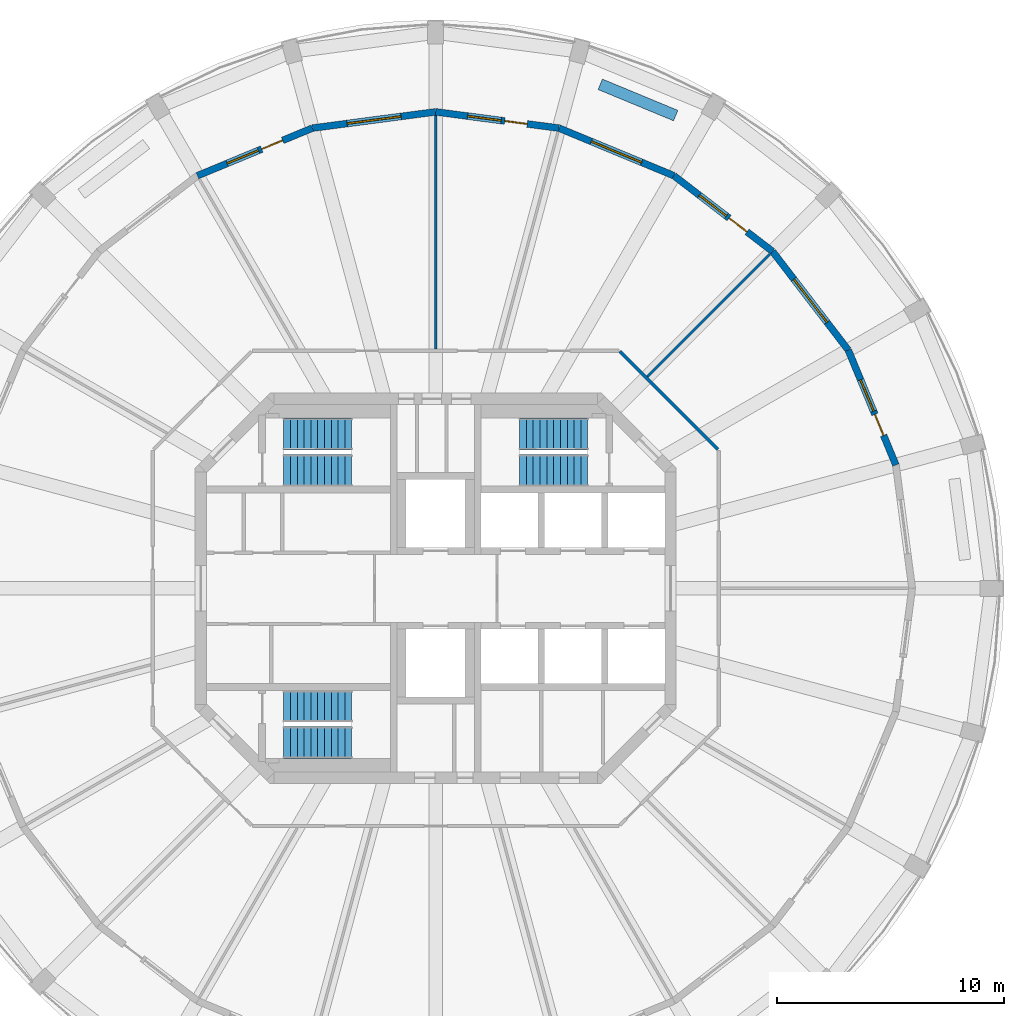
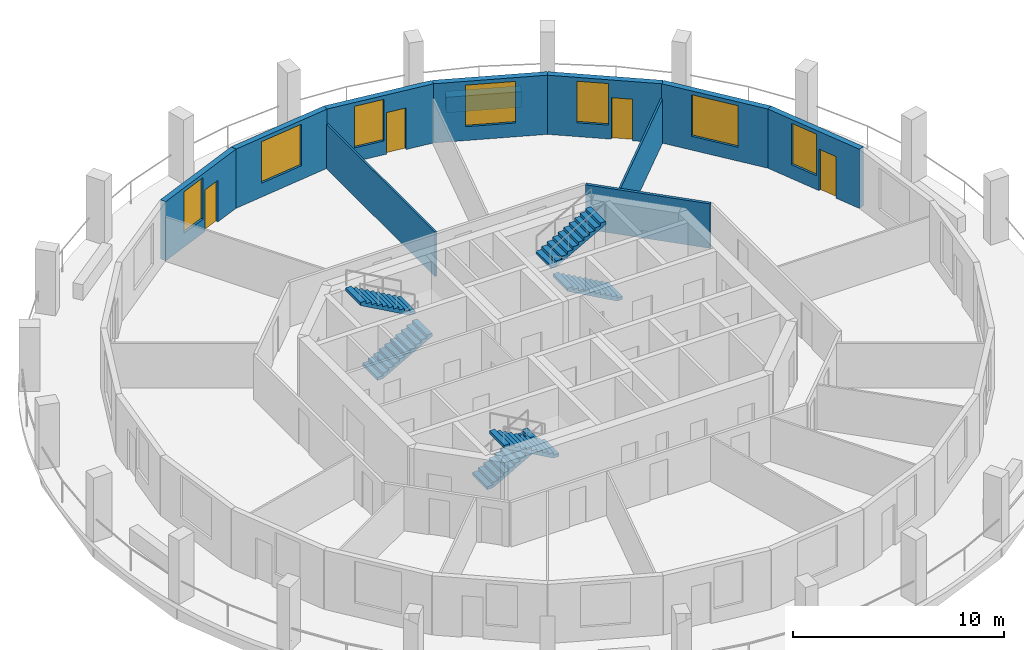
# One storey, part 6 of 8: 11 walls, 7 windows, 6 stair flights, 4 doors, 11 openings, 3 elements without a shape of their own.
"""IFC4 building model written with IfcOpenShell, lengths in metres."""

import ifcopenshell
import ifcopenshell.guid

model = None  # the IFC model being written
_history = None  # IfcOwnerHistory: only IFC2X3 demands one
_inside = {}  # id of a spatial element -> (the spatial element, [elements in it])
_under = {}  # id of a project, library or spatial element -> (it, [spatial elements below it])
_declared = {}  # id of a project -> (the project, [libraries it declares])
_typed = {}  # id of a type object -> (the type object, [elements of that type])
_made_of = {}  # id of a material, layer set ... -> (it, [elements and type objects made of it])


def new_model(schema):
    """Start an empty IFC model of exactly this schema.

    Asked for "IFC4X3", IfcOpenShell would pick the latest addendum, in which some entities
    have other attributes; the version numbers below select the first issue.
    IFC2X3 requires an IfcOwnerHistory on every rooted entity: one is made here for all.
    """
    global model, _history
    if schema == "IFC4X3":
        model = ifcopenshell.file(schema_version=(4, 3, 0, 0))
    else:
        model = ifcopenshell.file(schema=schema)
    _inside.clear()
    _under.clear()
    _declared.clear()
    _typed.clear()
    _made_of.clear()
    _history = None
    if model.schema == "IFC2X3":
        org = make("IfcOrganization", Name="unknown")
        user = make(
            "IfcPersonAndOrganization",
            ThePerson=make("IfcPerson", FamilyName="unknown"),
            TheOrganization=org,
        )
        app = make(
            "IfcApplication",
            ApplicationDeveloper=org,
            Version="unknown",
            ApplicationFullName="unknown",
            ApplicationIdentifier="unknown",
        )
        _history = make(
            "IfcOwnerHistory",
            OwningUser=user,
            OwningApplication=app,
            ChangeAction="ADDED",
            CreationDate=0,
        )
    return model


def make(cls, **values):
    """One entity of the class cls with the attributes given. An attribute that is None is left unset."""
    return model.create_entity(
        cls, **{name: value for name, value in values.items() if value is not None}
    )


def rooted(cls, **values):
    """An entity with a GlobalId (a new one), such as an element, a storey or a relation."""
    return make(cls, GlobalId=ifcopenshell.guid.new(), OwnerHistory=_history, **values)


def si_unit(unit_type, name, prefix=None):
    """IfcSIUnit, for example si_unit("LENGTHUNIT", "METRE", prefix="MILLI")."""
    return make("IfcSIUnit", UnitType=unit_type, Prefix=prefix, Name=name)


def assignment(units):
    """IfcUnitAssignment: the units of a project."""
    return None if units is None else make("IfcUnitAssignment", Units=units)


def point(xyz):
    """IfcCartesianPoint."""
    return None if xyz is None else make("IfcCartesianPoint", Coordinates=xyz)


def direction(xyz):
    """IfcDirection."""
    return None if xyz is None else make("IfcDirection", DirectionRatios=xyz)


def frame(location, z_axis=None, x_axis=None):
    """IfcAxis2Placement3D, a coordinate frame: its origin and axes. An axis left out is left unset."""
    return make(
        "IfcAxis2Placement3D",
        Location=point(location),
        Axis=direction(z_axis),
        RefDirection=direction(x_axis),
    )


def frame_2d(location, x_axis=None):
    """IfcAxis2Placement2D, a coordinate frame in the plane: its origin and x axis."""
    return make(
        "IfcAxis2Placement2D", Location=point(location), RefDirection=direction(x_axis)
    )


def origin():
    """The frame at (0, 0, 0) with its axes left unset."""
    return frame((0.0, 0.0, 0.0))


def place(relative_to, where):
    """IfcLocalPlacement: puts the frame where relative to a parent placement (None: the world)."""
    return make(
        "IfcLocalPlacement", PlacementRelTo=relative_to, RelativePlacement=where
    )


def context(
    kind, dimensions, precision=None, world=None, true_north=None, identifier=None
):
    """IfcGeometricRepresentationContext, for example the 3D "Model" context."""
    return make(
        "IfcGeometricRepresentationContext",
        ContextIdentifier=identifier,
        ContextType=kind,
        CoordinateSpaceDimension=dimensions,
        Precision=precision,
        WorldCoordinateSystem=world,
        TrueNorth=true_north,
    )


def subcontext(parent, identifier, kind, view, scale=None):
    """IfcGeometricRepresentationSubContext, for example "Body" below "Model"."""
    return make(
        "IfcGeometricRepresentationSubContext",
        ContextIdentifier=identifier,
        ContextType=kind,
        ParentContext=parent,
        TargetScale=scale,
        TargetView=view,
    )


def project(units=None, contexts=None):
    """IfcProject with its units and contexts."""
    return rooted(
        "IfcProject",
        Name="project",
        RepresentationContexts=contexts,
        UnitsInContext=assignment(units),
    )


def spatial(cls, under=None, at=None, **own):
    """A site, building, storey or space (cls), placed at a placement, below another one or the project."""
    s = rooted(cls, ObjectPlacement=at, **own)
    if under is not None:
        _under.setdefault(under.id(), (under, []))[1].append(s)
    return s


def polyline(points):
    """IfcPolyline through the points."""
    return make("IfcPolyline", Points=[point(p) for p in points])


def profile(cls, at=None, kind="AREA", **sizes):
    """A parametric profile (cls). Its sizes go by their IFC names, for example OverallWidth=200.0."""
    return make(cls, ProfileType=kind, Position=at, **sizes)


def rectangle(**sizes):
    """IfcRectangleProfileDef."""
    return profile("IfcRectangleProfileDef", **sizes)


def outline(outer, holes=None, kind="AREA"):
    """IfcArbitraryClosedProfileDef: a profile drawn as a closed curve; with holes, ...WithVoids."""
    if holes is None:
        return make("IfcArbitraryClosedProfileDef", ProfileType=kind, OuterCurve=outer)
    return make(
        "IfcArbitraryProfileDefWithVoids",
        ProfileType=kind,
        OuterCurve=outer,
        InnerCurves=holes,
    )


def extrude(swept, where, along, depth):
    """IfcExtrudedAreaSolid: the profile swept, set in the frame where, extruded along a direction by depth."""
    return make(
        "IfcExtrudedAreaSolid",
        SweptArea=swept,
        Position=where,
        ExtrudedDirection=direction(along),
        Depth=depth,
    )


def shape(context_of_items, identifier, shape_type, items):
    """IfcShapeRepresentation: the items that make up one representation, for example the "Body"."""
    return make(
        "IfcShapeRepresentation",
        ContextOfItems=context_of_items,
        RepresentationIdentifier=identifier,
        RepresentationType=shape_type,
        Items=items,
    )


def material(Name=None, Category=None):
    """IfcMaterial."""
    return make("IfcMaterial", Name=Name, Category=Category)


def layer(
    of_material, thickness, ventilated=None, Name=None, Category=None, Priority=None
):
    """IfcMaterialLayer: one layer of a wall or slab, of a material (None: an air gap)."""
    return make(
        "IfcMaterialLayer",
        Material=of_material,
        LayerThickness=thickness,
        IsVentilated=ventilated,
        Name=Name,
        Category=Category,
        Priority=Priority,
    )


def layer_set(layers, Name=None):
    """IfcMaterialLayerSet."""
    return make("IfcMaterialLayerSet", MaterialLayers=layers, LayerSetName=Name)


def made_of(thing, what):
    """Note that an element or type object is made of a material, layer set ...; save() writes the relation."""
    if what is not None:
        _made_of.setdefault(what.id(), (what, []))[1].append(thing)
    return thing


def type_object(cls, material=None, **own):
    """A type object (cls), such as IfcWallType, which elements share."""
    return made_of(rooted(cls, **own), material)


def element(
    cls,
    number,
    at=None,
    inside=None,
    cuts=None,
    type_object=None,
    material=None,
    context=None,
    identifier="Body",
    shape_type=None,
    held_by="IfcProductDefinitionShape",
    body=None,
    shapes=None,
    **own,
):
    """One element of the class cls, such as IfcWall. Its Tag is "e" and its number.

    at: its placement. inside: the storey or other place that contains it. cuts: it is an
    opening in that element (IfcRelVoidsElement). A single representation is given by context,
    identifier, shape_type and body (its items); several are given by shapes. held_by: the class
    of the entity that holds the representations. save() writes the other relations.
    """
    e = rooted(cls, Tag="e%d" % number, ObjectPlacement=at, **own)
    if body is not None:
        shapes = [shape(context, identifier, shape_type, body)]
    if shapes is not None:
        e.Representation = make(held_by, Representations=shapes)
    if inside is not None:
        _inside.setdefault(inside.id(), (inside, []))[1].append(e)
    if cuts is not None:
        rooted(
            "IfcRelVoidsElement", RelatingBuildingElement=cuts, RelatedOpeningElement=e
        )
    if type_object is not None:
        _typed.setdefault(type_object.id(), (type_object, []))[1].append(e)
    return made_of(e, material)


def fill(opening, filler):
    """IfcRelFillsElement: the door or window that sits in an opening."""
    return rooted(
        "IfcRelFillsElement",
        RelatingOpeningElement=opening,
        RelatedBuildingElement=filler,
    )


def aggregate(whole, parts):
    """IfcRelAggregates: a whole, such as a stair, and the parts it consists of."""
    return rooted("IfcRelAggregates", RelatingObject=whole, RelatedObjects=parts)


def save(model, path):
    """Write the relations noted so far, then the file.

    IfcRelAggregates (storeys below a building ...), IfcRelContainedInSpatialStructure (elements
    in a storey), IfcRelDefinesByType, IfcRelAssociatesMaterial and IfcRelDeclares: one each for
    every whole, place, type object, material and project.
    """
    for whole, parts in _under.values():
        aggregate(whole, parts)
    for where, things in _inside.values():
        rooted(
            "IfcRelContainedInSpatialStructure",
            RelatedElements=things,
            RelatingStructure=where,
        )
    for kind, things in _typed.values():
        rooted("IfcRelDefinesByType", RelatedObjects=things, RelatingType=kind)
    for what, things in _made_of.values():
        rooted("IfcRelAssociatesMaterial", RelatedObjects=things, RelatingMaterial=what)
    for by, libraries in _declared.values():
        rooted("IfcRelDeclares", RelatingContext=by, RelatedDefinitions=libraries)
    model.write(path)


model = new_model("IFC4")

# Units and contexts
model_context = context("Model", 3, precision=1e-05, world=origin(), true_north=direction((0.0, 1.0)))
body_context = subcontext(model_context, "Body", "Model", "MODEL_VIEW")
ifc_project = project(units=[si_unit("LENGTHUNIT", "METRE"), si_unit("AREAUNIT", "SQUARE_METRE"), si_unit("VOLUMEUNIT", "CUBIC_METRE"), si_unit("PLANEANGLEUNIT", "RADIAN"), si_unit("MASSUNIT", "GRAM", prefix="KILO")], contexts=[model_context])

# Site, building, storey
site_placement = place(None, origin())
site = spatial("IfcSite", under=ifc_project, at=site_placement, CompositionType="ELEMENT")
building_placement = place(site_placement, origin())
building = spatial("IfcBuilding", under=site, at=building_placement, Name="Torre Triforio", CompositionType="ELEMENT")
storey_placement = place(building_placement, frame((0.0, 0.0, 257.5)))
storey = spatial("IfcBuildingStorey", under=building, at=storey_placement, Name="L59", CompositionType="ELEMENT", Elevation=257.5)

# Walls
ifc_material_1 = material(Name="Plasterboard on metal studs")
ifc_layer_1 = layer(ifc_material_1, 0.14990234375)
ifc_layer_set_1 = layer_set([ifc_layer_1], Name="Plasterboard on metal studs")
wall_type_1 = type_object("IfcWallType", Name="Corridor and tenancy wall 150 mm EI 60", PredefinedType="PARTITIONING", material=ifc_layer_set_1)
wall_1_placement = place(storey_placement, frame((8.120849609375, 10.43798828125, 0.0), z_axis=(0.0, 0.0, 1.0), x_axis=(0.707106781187, -0.707106781187, 0.0)))
element("IfcWall", 1, at=wall_1_placement, inside=storey, type_object=wall_type_1, Name="Partition 7", PredefinedType="PARTITIONING", context=body_context, shape_type="SweptSolid", body=[
    extrude(rectangle(XDim=6.10546875, YDim=0.14990234375, at=frame_2d((3.052734375, 0.0))), origin(), (0.0, 0.0, 1.0), 2.570068359375),
])
ifc_layer_2 = layer(ifc_material_1, 0.10009765625)
ifc_layer_set_2 = layer_set([ifc_layer_2], Name="Plasterboard on metal studs")
wall_type_2 = type_object("IfcWallType", Name="Partition 100 mm board on metal studs", PredefinedType="PARTITIONING", material=ifc_layer_set_2)
wall_2_placement = place(storey_placement, frame((9.33251953125, 9.33251953125, 0.0), z_axis=(0.0, 0.0, 1.0), x_axis=(0.707106781187, 0.707106781187, 0.0)))
element("IfcWall", 2, at=wall_2_placement, inside=storey, type_object=wall_type_2, Name="Partition 10", PredefinedType="PARTITIONING", context=body_context, shape_type="SweptSolid", body=[
    extrude(rectangle(XDim=7.638671875, YDim=0.10009765625, at=frame_2d((3.8193359375, 0.0))), origin(), (0.0, 0.0, 1.0), 2.570068359375),
])
wall_3_placement = place(storey_placement, frame((0.0, 10.550048828125, 0.0), z_axis=(0.0, 0.0, 1.0), x_axis=(0.0, 1.0, 0.0)))
element("IfcWall", 3, at=wall_3_placement, inside=storey, type_object=wall_type_2, Name="Partition 12", PredefinedType="PARTITIONING", context=body_context, shape_type="SweptSolid", body=[
    extrude(rectangle(XDim=10.28662109375, YDim=0.10009765625, at=frame_2d((5.143310546875, 0.0))), origin(), (0.0, 0.0, 1.0), 2.570068359375),
])
ifc_material_2 = material(Name="Limestone cladding", Category="masonry")
ifc_layer_3 = layer(ifc_material_2, 0.10009765625)
ifc_material_3 = material(Name="Concrete C40", Category="concrete")
ifc_layer_4 = layer(ifc_material_3, 0.39990234375)
ifc_layer_set_3 = layer_set([ifc_layer_3, ifc_layer_4], Name="Limestone cladding / Concrete C40")
wall_type_3 = type_object("IfcWallType", Name="Planter wall 500", PredefinedType="PARAPET", material=ifc_layer_set_3)
wall_4_placement = place(storey_placement, frame((10.57958984375, 20.837646484375, 0.0), z_axis=(0.0, 0.0, 1.0), x_axis=(-0.923909393783, 0.382611332921, 0.0)))
element("IfcWall", 4, at=wall_4_placement, inside=storey, type_object=wall_type_3, Name="Planter L59 bay 05", PredefinedType="PARAPET", context=body_context, shape_type="SweptSolid", body=[
    extrude(rectangle(XDim=3.60009765625, YDim=0.5, at=frame_2d((1.800048828125, 0.0))), origin(), (0.0, 0.0, 1.0), 0.89990234375),
])

# Wall, openings, door, window
ifc_layer_5 = layer(ifc_material_2, 0.10009765625)
ifc_layer_6 = layer(ifc_material_3, 0.199951171875)
ifc_layer_set_4 = layer_set([ifc_layer_5, ifc_layer_6], Name="Limestone cladding / Concrete C40")
wall_type_4 = type_object("IfcWallType", Name="Stone-faced composite wall 300", PredefinedType="STANDARD", material=ifc_layer_set_4)
wall_5_placement = place(storey_placement, frame((20.284423828125, 5.435302734375, 0.0), z_axis=(0.0, 0.0, 1.0), x_axis=(-0.382688740813, 0.923877333662, 0.0)))
wall_5 = element("IfcWall", 5, at=wall_5_placement, inside=storey, type_object=wall_type_4, Name="External wall L59 bay 02", PredefinedType="STANDARD", context=body_context, shape_type="SweptSolid", body=[
    extrude(rectangle(XDim=5.48193359375, YDim=0.300048828125, at=frame_2d((2.740966796875, 0.0))), origin(), (0.0, 0.0, 1.0), 3.419921875),
])
opening_1_placement = place(wall_5_placement, frame((1.416015625, 0.0, 0.0)))
opening_1 = element("IfcOpeningElement", 6, at=opening_1_placement, cuts=wall_5, Name="Opening E1-D02", PredefinedType="OPENING", context=body_context, shape_type="SweptSolid", body=[
    extrude(rectangle(XDim=1.0, YDim=2.39990234375, at=frame_2d((0.5, 1.199951171875))), frame((0.0, 0.159912109375, 0.0), z_axis=(0.0, -1.0, 0.0), x_axis=(1.0, 0.0, 0.0)), (0.0, 0.0, 1.0), 0.320068359375),
])
opening_2_placement = place(wall_5_placement, frame((2.566162109375, 0.0, 0.800048828125)))
opening_2 = element("IfcOpeningElement", 7, at=opening_2_placement, cuts=wall_5, Name="Opening E1-W02A", PredefinedType="OPENING", context=body_context, shape_type="SweptSolid", body=[
    extrude(rectangle(XDim=1.5, YDim=2.39990234375, at=frame_2d((0.75, 1.199951171875))), frame((0.0, 0.159912109375, 0.0), z_axis=(0.0, -1.0, 0.0), x_axis=(1.0, 0.0, 0.0)), (0.0, 0.0, 1.0), 0.320068359375),
])
ifc_material_4 = material(Name="Aluminium frame with clear double glazing", Category="aluminium")
door_type = type_object("IfcDoorType", Name="Loggia door 1000 x 2400", OperationType="NOTDEFINED", PredefinedType="DOOR", material=ifc_material_4)
door_1_placement = place(opening_1_placement, origin())
door_1 = element("IfcDoor", 8, at=door_1_placement, inside=storey, type_object=door_type, Name="Loggia door L59 bay 02", OperationType="SINGLE_SWING_LEFT", OverallHeight=2.39990234375, OverallWidth=1.0, PredefinedType="DOOR", context=body_context, shape_type="SweptSolid", body=[
    extrude(rectangle(XDim=1.0, YDim=2.39990234375, at=frame_2d((0.5, 1.199951171875))), frame((0.0, 0.02490234375, 0.0), z_axis=(0.0, -1.0, 0.0), x_axis=(1.0, 0.0, 0.0)), (0.0, 0.0, 1.0), 0.050048828125),
])
fill(opening_1, door_1)
window_type_1 = type_object("IfcWindowType", Name="Side window 1500 x 2400", PartitioningType="SINGLE_PANEL", PredefinedType="WINDOW", material=ifc_material_4)
window_1_placement = place(opening_2_placement, origin())
window_1 = element("IfcWindow", 9, at=window_1_placement, inside=storey, type_object=window_type_1, Name="Side window EWN14 L59 bay 02", OverallHeight=2.39990234375, OverallWidth=1.5, PartitioningType="SINGLE_PANEL", PredefinedType="WINDOW", context=body_context, shape_type="SweptSolid", body=[
    extrude(rectangle(XDim=1.5, YDim=2.39990234375, at=frame_2d((0.75, 1.199951171875))), frame((0.0, 0.030029296875, 0.0), z_axis=(0.0, -1.0, 0.0), x_axis=(1.0, 0.0, 0.0)), (0.0, 0.0, 1.0), 0.06005859375),
])
fill(opening_2, window_1)

# Wall, opening, window
wall_6_placement = place(storey_placement, frame((18.1865234375, 10.5, 0.0), z_axis=(0.0, 0.0, 1.0), x_axis=(-0.608784891166, 0.793335336593, 0.0)))
wall_6 = element("IfcWall", 10, at=wall_6_placement, inside=storey, type_object=wall_type_4, Name="External wall L59 bay 03", PredefinedType="STANDARD", context=body_context, shape_type="SweptSolid", body=[
    extrude(rectangle(XDim=5.482177734375, YDim=0.300048828125, at=frame_2d((2.7412109375, 0.0))), origin(), (0.0, 0.0, 1.0), 3.419921875),
])
opening_3_placement = place(wall_6_placement, frame((1.541015625, 0.0, 0.800048828125)))
opening_3 = element("IfcOpeningElement", 11, at=opening_3_placement, cuts=wall_6, Name="Opening E1-W03", PredefinedType="OPENING", context=body_context, shape_type="SweptSolid", body=[
    extrude(rectangle(XDim=2.39990234375, YDim=2.39990234375, at=frame_2d((1.199951171875, 1.199951171875))), frame((0.0, 0.159912109375, 0.0), z_axis=(0.0, -1.0, 0.0), x_axis=(1.0, 0.0, 0.0)), (0.0, 0.0, 1.0), 0.320068359375),
])
window_type_2 = type_object("IfcWindowType", Name="Punched window 2400 x 2400", PartitioningType="DOUBLE_PANEL_VERTICAL", PredefinedType="WINDOW", material=ifc_material_4)
window_2_placement = place(opening_3_placement, origin())
window_2 = element("IfcWindow", 12, at=window_2_placement, inside=storey, type_object=window_type_2, Name="Window EWN4 L59 bay 03", OverallHeight=2.39990234375, OverallWidth=2.39990234375, PartitioningType="SINGLE_PANEL", PredefinedType="WINDOW", context=body_context, shape_type="SweptSolid", body=[
    extrude(rectangle(XDim=2.39990234375, YDim=2.39990234375, at=frame_2d((1.199951171875, 1.199951171875))), frame((0.0, 0.030029296875, 0.0), z_axis=(0.0, -1.0, 0.0), x_axis=(1.0, 0.0, 0.0)), (0.0, 0.0, 1.0), 0.06005859375),
])
fill(opening_3, window_2)

# Wall, openings, door, window
wall_7_placement = place(storey_placement, frame((14.84912109375, 14.84912109375, 0.0), z_axis=(0.0, 0.0, 1.0), x_axis=(-0.793335336593, 0.608784891166, 0.0)))
wall_7 = element("IfcWall", 13, at=wall_7_placement, inside=storey, type_object=wall_type_4, Name="External wall L59 bay 04", PredefinedType="STANDARD", context=body_context, shape_type="SweptSolid", body=[
    extrude(rectangle(XDim=5.482177734375, YDim=0.300048828125, at=frame_2d((2.7412109375, 0.0))), origin(), (0.0, 0.0, 1.0), 3.419921875),
])
opening_4_placement = place(wall_7_placement, frame((1.416015625, 0.0, 0.0)))
opening_4 = element("IfcOpeningElement", 14, at=opening_4_placement, cuts=wall_7, Name="Opening E1-D04", PredefinedType="OPENING", context=body_context, shape_type="SweptSolid", body=[
    extrude(rectangle(XDim=1.0, YDim=2.39990234375, at=frame_2d((0.5, 1.199951171875))), frame((0.0, 0.159912109375, 0.0), z_axis=(0.0, -1.0, 0.0), x_axis=(1.0, 0.0, 0.0)), (0.0, 0.0, 1.0), 0.320068359375),
])
opening_5_placement = place(wall_7_placement, frame((2.56591796875, 0.0, 0.800048828125)))
opening_5 = element("IfcOpeningElement", 15, at=opening_5_placement, cuts=wall_7, Name="Opening E1-W04A", PredefinedType="OPENING", context=body_context, shape_type="SweptSolid", body=[
    extrude(rectangle(XDim=1.5, YDim=2.39990234375, at=frame_2d((0.75, 1.199951171875))), frame((0.0, 0.159912109375, 0.0), z_axis=(0.0, -1.0, 0.0), x_axis=(1.0, 0.0, 0.0)), (0.0, 0.0, 1.0), 0.320068359375),
])
door_2_placement = place(opening_4_placement, origin())
door_2 = element("IfcDoor", 16, at=door_2_placement, inside=storey, type_object=door_type, Name="Loggia door L59 bay 04", OperationType="SINGLE_SWING_LEFT", OverallHeight=2.39990234375, OverallWidth=1.0, PredefinedType="DOOR", context=body_context, shape_type="SweptSolid", body=[
    extrude(rectangle(XDim=1.0, YDim=2.39990234375, at=frame_2d((0.5, 1.199951171875))), frame((0.0, 0.02490234375, 0.0), z_axis=(0.0, -1.0, 0.0), x_axis=(1.0, 0.0, 0.0)), (0.0, 0.0, 1.0), 0.050048828125),
])
fill(opening_4, door_2)
window_3_placement = place(opening_5_placement, origin())
window_3 = element("IfcWindow", 17, at=window_3_placement, inside=storey, type_object=window_type_1, Name="Side window EWN14 L59 bay 04", OverallHeight=2.39990234375, OverallWidth=1.5, PartitioningType="SINGLE_PANEL", PredefinedType="WINDOW", context=body_context, shape_type="SweptSolid", body=[
    extrude(rectangle(XDim=1.5, YDim=2.39990234375, at=frame_2d((0.75, 1.199951171875))), frame((0.0, 0.030029296875, 0.0), z_axis=(0.0, -1.0, 0.0), x_axis=(1.0, 0.0, 0.0)), (0.0, 0.0, 1.0), 0.06005859375),
])
fill(opening_5, window_3)

# Wall, opening, window
wall_8_placement = place(storey_placement, frame((10.5, 18.1865234375, 0.0), z_axis=(0.0, 0.0, 1.0), x_axis=(-0.923877333662, 0.382688740813, 0.0)))
wall_8 = element("IfcWall", 18, at=wall_8_placement, inside=storey, type_object=wall_type_4, Name="External wall L59 bay 05", PredefinedType="STANDARD", context=body_context, shape_type="SweptSolid", body=[
    extrude(rectangle(XDim=5.48193359375, YDim=0.300048828125, at=frame_2d((2.740966796875, 0.0))), origin(), (0.0, 0.0, 1.0), 3.419921875),
])
opening_6_placement = place(wall_8_placement, frame((1.541015625, 0.0, 0.800048828125)))
opening_6 = element("IfcOpeningElement", 19, at=opening_6_placement, cuts=wall_8, Name="Opening E1-W05", PredefinedType="OPENING", context=body_context, shape_type="SweptSolid", body=[
    extrude(rectangle(XDim=2.39990234375, YDim=2.39990234375, at=frame_2d((1.199951171875, 1.199951171875))), frame((0.0, 0.159912109375, 0.0), z_axis=(0.0, -1.0, 0.0), x_axis=(1.0, 0.0, 0.0)), (0.0, 0.0, 1.0), 0.320068359375),
])
window_4_placement = place(opening_6_placement, origin())
window_4 = element("IfcWindow", 20, at=window_4_placement, inside=storey, type_object=window_type_2, Name="Window EWN4 L59 bay 05", OverallHeight=2.39990234375, OverallWidth=2.39990234375, PartitioningType="SINGLE_PANEL", PredefinedType="WINDOW", context=body_context, shape_type="SweptSolid", body=[
    extrude(rectangle(XDim=2.39990234375, YDim=2.39990234375, at=frame_2d((1.199951171875, 1.199951171875))), frame((0.0, 0.030029296875, 0.0), z_axis=(0.0, -1.0, 0.0), x_axis=(1.0, 0.0, 0.0)), (0.0, 0.0, 1.0), 0.06005859375),
])
fill(opening_6, window_4)

# Wall, openings, door, window
wall_9_placement = place(storey_placement, frame((5.435302734375, 20.284423828125, 0.0), z_axis=(0.0, 0.0, 1.0), x_axis=(-0.991444743541, 0.130527087244, 0.0)))
wall_9 = element("IfcWall", 21, at=wall_9_placement, inside=storey, type_object=wall_type_4, Name="External wall L59 bay 06", PredefinedType="STANDARD", context=body_context, shape_type="SweptSolid", body=[
    extrude(rectangle(XDim=5.482177734375, YDim=0.300048828125, at=frame_2d((2.7412109375, 0.0))), origin(), (0.0, 0.0, 1.0), 3.419921875),
])
opening_7_placement = place(wall_9_placement, frame((1.416015625, 0.0, 0.0)))
opening_7 = element("IfcOpeningElement", 22, at=opening_7_placement, cuts=wall_9, Name="Opening E1-D06", PredefinedType="OPENING", context=body_context, shape_type="SweptSolid", body=[
    extrude(rectangle(XDim=1.0, YDim=2.39990234375, at=frame_2d((0.5, 1.199951171875))), frame((0.0, 0.159912109375, 0.0), z_axis=(0.0, -1.0, 0.0), x_axis=(1.0, 0.0, 0.0)), (0.0, 0.0, 1.0), 0.320068359375),
])
opening_8_placement = place(wall_9_placement, frame((2.566162109375, 0.0, 0.800048828125)))
opening_8 = element("IfcOpeningElement", 23, at=opening_8_placement, cuts=wall_9, Name="Opening E1-W06A", PredefinedType="OPENING", context=body_context, shape_type="SweptSolid", body=[
    extrude(rectangle(XDim=1.5, YDim=2.39990234375, at=frame_2d((0.75, 1.199951171875))), frame((0.0, 0.159912109375, 0.0), z_axis=(0.0, -1.0, 0.0), x_axis=(1.0, 0.0, 0.0)), (0.0, 0.0, 1.0), 0.320068359375),
])
door_3_placement = place(opening_7_placement, origin())
door_3 = element("IfcDoor", 24, at=door_3_placement, inside=storey, type_object=door_type, Name="Loggia door L59 bay 06", OperationType="SINGLE_SWING_LEFT", OverallHeight=2.39990234375, OverallWidth=1.0, PredefinedType="DOOR", context=body_context, shape_type="SweptSolid", body=[
    extrude(rectangle(XDim=1.0, YDim=2.39990234375, at=frame_2d((0.5, 1.199951171875))), frame((0.0, 0.02490234375, 0.0), z_axis=(0.0, -1.0, 0.0), x_axis=(1.0, 0.0, 0.0)), (0.0, 0.0, 1.0), 0.050048828125),
])
fill(opening_7, door_3)
window_5_placement = place(opening_8_placement, origin())
window_5 = element("IfcWindow", 25, at=window_5_placement, inside=storey, type_object=window_type_1, Name="Side window EWN14 L59 bay 06", OverallHeight=2.39990234375, OverallWidth=1.5, PartitioningType="SINGLE_PANEL", PredefinedType="WINDOW", context=body_context, shape_type="SweptSolid", body=[
    extrude(rectangle(XDim=1.5, YDim=2.39990234375, at=frame_2d((0.75, 1.199951171875))), frame((0.0, 0.030029296875, 0.0), z_axis=(0.0, -1.0, 0.0), x_axis=(1.0, 0.0, 0.0)), (0.0, 0.0, 1.0), 0.06005859375),
])
fill(opening_8, window_5)

# Wall, opening, window
wall_10_placement = place(storey_placement, frame((0.0, 21.0, 0.0), z_axis=(0.0, 0.0, 1.0), x_axis=(-0.991444743541, -0.130527087244, 0.0)))
wall_10 = element("IfcWall", 26, at=wall_10_placement, inside=storey, type_object=wall_type_4, Name="External wall L59 bay 07", PredefinedType="STANDARD", context=body_context, shape_type="SweptSolid", body=[
    extrude(rectangle(XDim=5.482177734375, YDim=0.300048828125, at=frame_2d((2.7412109375, 0.0))), origin(), (0.0, 0.0, 1.0), 3.419921875),
])
opening_9_placement = place(wall_10_placement, frame((1.541015625, 0.0, 0.800048828125)))
opening_9 = element("IfcOpeningElement", 27, at=opening_9_placement, cuts=wall_10, Name="Opening E1-W07", PredefinedType="OPENING", context=body_context, shape_type="SweptSolid", body=[
    extrude(rectangle(XDim=2.39990234375, YDim=2.39990234375, at=frame_2d((1.199951171875, 1.199951171875))), frame((0.0, 0.159912109375, 0.0), z_axis=(0.0, -1.0, 0.0), x_axis=(1.0, 0.0, 0.0)), (0.0, 0.0, 1.0), 0.320068359375),
])
window_6_placement = place(opening_9_placement, origin())
window_6 = element("IfcWindow", 28, at=window_6_placement, inside=storey, type_object=window_type_2, Name="Window EWN4 L59 bay 07", OverallHeight=2.39990234375, OverallWidth=2.39990234375, PartitioningType="SINGLE_PANEL", PredefinedType="WINDOW", context=body_context, shape_type="SweptSolid", body=[
    extrude(rectangle(XDim=2.39990234375, YDim=2.39990234375, at=frame_2d((1.199951171875, 1.199951171875))), frame((0.0, 0.030029296875, 0.0), z_axis=(0.0, -1.0, 0.0), x_axis=(1.0, 0.0, 0.0)), (0.0, 0.0, 1.0), 0.06005859375),
])
fill(opening_9, window_6)

# Wall, openings, door, window
wall_11_placement = place(storey_placement, frame((-5.435302734375, 20.284423828125, 0.0), z_axis=(0.0, 0.0, 1.0), x_axis=(-0.923877333662, -0.382688740813, 0.0)))
wall_11 = element("IfcWall", 29, at=wall_11_placement, inside=storey, type_object=wall_type_4, Name="External wall L59 bay 08", PredefinedType="STANDARD", context=body_context, shape_type="SweptSolid", body=[
    extrude(rectangle(XDim=5.48193359375, YDim=0.300048828125, at=frame_2d((2.740966796875, 0.0))), origin(), (0.0, 0.0, 1.0), 3.419921875),
])
opening_10_placement = place(wall_11_placement, frame((1.416015625, 0.0, 0.0)))
opening_10 = element("IfcOpeningElement", 30, at=opening_10_placement, cuts=wall_11, Name="Opening E1-D08", PredefinedType="OPENING", context=body_context, shape_type="SweptSolid", body=[
    extrude(rectangle(XDim=1.0, YDim=2.39990234375, at=frame_2d((0.5, 1.199951171875))), frame((0.0, 0.159912109375, 0.0), z_axis=(0.0, -1.0, 0.0), x_axis=(1.0, 0.0, 0.0)), (0.0, 0.0, 1.0), 0.320068359375),
])
opening_11_placement = place(wall_11_placement, frame((2.566162109375, 0.0, 0.800048828125)))
opening_11 = element("IfcOpeningElement", 31, at=opening_11_placement, cuts=wall_11, Name="Opening E1-W08A", PredefinedType="OPENING", context=body_context, shape_type="SweptSolid", body=[
    extrude(rectangle(XDim=1.5, YDim=2.39990234375, at=frame_2d((0.75, 1.199951171875))), frame((0.0, 0.159912109375, 0.0), z_axis=(0.0, -1.0, 0.0), x_axis=(1.0, 0.0, 0.0)), (0.0, 0.0, 1.0), 0.320068359375),
])
door_4_placement = place(opening_10_placement, origin())
door_4 = element("IfcDoor", 32, at=door_4_placement, inside=storey, type_object=door_type, Name="Loggia door L59 bay 08", OperationType="SINGLE_SWING_LEFT", OverallHeight=2.39990234375, OverallWidth=1.0, PredefinedType="DOOR", context=body_context, shape_type="SweptSolid", body=[
    extrude(rectangle(XDim=1.0, YDim=2.39990234375, at=frame_2d((0.5, 1.199951171875))), frame((0.0, 0.02490234375, 0.0), z_axis=(0.0, -1.0, 0.0), x_axis=(1.0, 0.0, 0.0)), (0.0, 0.0, 1.0), 0.050048828125),
])
fill(opening_10, door_4)
window_7_placement = place(opening_11_placement, origin())
window_7 = element("IfcWindow", 33, at=window_7_placement, inside=storey, type_object=window_type_1, Name="Side window EWN14 L59 bay 08", OverallHeight=2.39990234375, OverallWidth=1.5, PartitioningType="SINGLE_PANEL", PredefinedType="WINDOW", context=body_context, shape_type="SweptSolid", body=[
    extrude(rectangle(XDim=1.5, YDim=2.39990234375, at=frame_2d((0.75, 1.199951171875))), frame((0.0, 0.030029296875, 0.0), z_axis=(0.0, -1.0, 0.0), x_axis=(1.0, 0.0, 0.0)), (0.0, 0.0, 1.0), 0.06005859375),
])
fill(opening_11, window_7)

# Stair, stair flights
stair_type = type_object("IfcStairType", Name="STAIR HALF-TURN", PredefinedType="HALF_TURN_STAIR", material=ifc_material_3)
stair_1_placement = place(storey_placement, origin())
stair_1 = element("IfcStair", 34, at=stair_1_placement, inside=storey, type_object=stair_type, Name="Exit stair 1", PredefinedType="HALF_TURN_STAIR")
stair_flight_type = type_object("IfcStairFlightType", Name="STAIR FLIGHT 1400", PredefinedType="STRAIGHT", material=ifc_material_3)
stair_flight_1_placement = place(storey_placement, frame((-6.699951171875, 5.199951171875, 0.0), z_axis=(0.0, 0.0, 1.0), x_axis=(1.0, 0.0, 0.0)))
stair_flight_1 = element("IfcStairFlight", 35, at=stair_flight_1_placement, type_object=stair_flight_type, Name="ST1 flight 1", NumberOfRisers=11, NumberOfTreads=10, PredefinedType="STRAIGHT", RiserHeight=0.168181818, TreadLength=0.3, context=body_context, shape_type="SweptSolid", body=[
    extrude(outline(polyline([(0.0, 0.0), (0.0, 0.168212890625), (0.300048828125, 0.168212890625), (0.300048828125, 0.33642578125), (0.60009765625, 0.33642578125), (0.60009765625, 0.504638671875), (0.89990234375, 0.504638671875), (0.89990234375, 0.672607421875), (1.199951171875, 0.672607421875), (1.199951171875, 0.8408203125), (1.5, 0.8408203125), (1.5, 1.009033203125), (1.800048828125, 1.009033203125), (1.800048828125, 1.17724609375), (2.10009765625, 1.17724609375), (2.10009765625, 1.345458984375), (2.39990234375, 1.345458984375), (2.39990234375, 1.513671875), (2.699951171875, 1.513671875), (2.699951171875, 1.681884765625), (3.0, 1.681884765625), (3.0, 1.85009765625), (3.0, 1.510009765625), (0.306640625, 0.0), (0.0, 0.0)])), frame((0.0, 0.699951171875, 0.0), z_axis=(0.0, -1.0, 0.0), x_axis=(1.0, 0.0, 0.0)), (0.0, 0.0, 1.0), 1.39990234375),
])
stair_flight_2_placement = place(storey_placement, frame((-3.699951171875, 6.800048828125, 1.85009765625), z_axis=(0.0, 0.0, 1.0), x_axis=(-1.0, 0.0, 0.0)))
stair_flight_2 = element("IfcStairFlight", 36, at=stair_flight_2_placement, type_object=stair_flight_type, Name="ST1 flight 2", NumberOfRisers=11, NumberOfTreads=10, PredefinedType="STRAIGHT", RiserHeight=0.168181818, TreadLength=0.3, context=body_context, shape_type="SweptSolid", body=[
    extrude(outline(polyline([(0.0, 0.0), (0.0, 0.168212890625), (0.300048828125, 0.168212890625), (0.300048828125, 0.33642578125), (0.60009765625, 0.33642578125), (0.60009765625, 0.504638671875), (0.89990234375, 0.504638671875), (0.89990234375, 0.672607421875), (1.199951171875, 0.672607421875), (1.199951171875, 0.8408203125), (1.5, 0.8408203125), (1.5, 1.009033203125), (1.800048828125, 1.009033203125), (1.800048828125, 1.17724609375), (2.10009765625, 1.17724609375), (2.10009765625, 1.345458984375), (2.39990234375, 1.345458984375), (2.39990234375, 1.513671875), (2.699951171875, 1.513671875), (2.699951171875, 1.681884765625), (3.0, 1.681884765625), (3.0, 1.85009765625), (3.0, 1.510009765625), (0.306640625, 0.0), (0.0, 0.0)])), frame((0.0, 0.699951171875, 0.0), z_axis=(0.0, -1.0, 0.0), x_axis=(1.0, 0.0, 0.0)), (0.0, 0.0, 1.0), 1.39990234375),
])
aggregate(stair_1, [stair_flight_1, stair_flight_2])

stair_2_placement = place(storey_placement, origin())
stair_2 = element("IfcStair", 37, at=stair_2_placement, inside=storey, type_object=stair_type, Name="Exit stair 2", PredefinedType="HALF_TURN_STAIR")
stair_flight_3_placement = place(storey_placement, frame((6.699951171875, 5.199951171875, 0.0), z_axis=(0.0, 0.0, 1.0), x_axis=(-1.0, 0.0, 0.0)))
stair_flight_3 = element("IfcStairFlight", 38, at=stair_flight_3_placement, type_object=stair_flight_type, Name="ST2 flight 1", NumberOfRisers=11, NumberOfTreads=10, PredefinedType="STRAIGHT", RiserHeight=0.168181818, TreadLength=0.3, context=body_context, shape_type="SweptSolid", body=[
    extrude(outline(polyline([(0.0, 0.0), (0.0, 0.168212890625), (0.300048828125, 0.168212890625), (0.300048828125, 0.33642578125), (0.60009765625, 0.33642578125), (0.60009765625, 0.504638671875), (0.89990234375, 0.504638671875), (0.89990234375, 0.672607421875), (1.199951171875, 0.672607421875), (1.199951171875, 0.8408203125), (1.5, 0.8408203125), (1.5, 1.009033203125), (1.800048828125, 1.009033203125), (1.800048828125, 1.17724609375), (2.10009765625, 1.17724609375), (2.10009765625, 1.345458984375), (2.39990234375, 1.345458984375), (2.39990234375, 1.513671875), (2.699951171875, 1.513671875), (2.699951171875, 1.681884765625), (3.0, 1.681884765625), (3.0, 1.85009765625), (3.0, 1.510009765625), (0.306640625, 0.0), (0.0, 0.0)])), frame((0.0, 0.699951171875, 0.0), z_axis=(0.0, -1.0, 0.0), x_axis=(1.0, 0.0, 0.0)), (0.0, 0.0, 1.0), 1.39990234375),
])
stair_flight_4_placement = place(storey_placement, frame((3.699951171875, 6.800048828125, 1.85009765625), z_axis=(0.0, 0.0, 1.0), x_axis=(1.0, 0.0, 0.0)))
stair_flight_4 = element("IfcStairFlight", 39, at=stair_flight_4_placement, type_object=stair_flight_type, Name="ST2 flight 2", NumberOfRisers=11, NumberOfTreads=10, PredefinedType="STRAIGHT", RiserHeight=0.168181818, TreadLength=0.3, context=body_context, shape_type="SweptSolid", body=[
    extrude(outline(polyline([(0.0, 0.0), (0.0, 0.168212890625), (0.300048828125, 0.168212890625), (0.300048828125, 0.33642578125), (0.60009765625, 0.33642578125), (0.60009765625, 0.504638671875), (0.89990234375, 0.504638671875), (0.89990234375, 0.672607421875), (1.199951171875, 0.672607421875), (1.199951171875, 0.8408203125), (1.5, 0.8408203125), (1.5, 1.009033203125), (1.800048828125, 1.009033203125), (1.800048828125, 1.17724609375), (2.10009765625, 1.17724609375), (2.10009765625, 1.345458984375), (2.39990234375, 1.345458984375), (2.39990234375, 1.513671875), (2.699951171875, 1.513671875), (2.699951171875, 1.681884765625), (3.0, 1.681884765625), (3.0, 1.85009765625), (3.0, 1.510009765625), (0.306640625, 0.0), (0.0, 0.0)])), frame((0.0, 0.699951171875, 0.0), z_axis=(0.0, -1.0, 0.0), x_axis=(1.0, 0.0, 0.0)), (0.0, 0.0, 1.0), 1.39990234375),
])
aggregate(stair_2, [stair_flight_3, stair_flight_4])

stair_3_placement = place(storey_placement, origin())
stair_3 = element("IfcStair", 40, at=stair_3_placement, inside=storey, type_object=stair_type, Name="Exit stair 3", PredefinedType="HALF_TURN_STAIR")
stair_flight_5_placement = place(storey_placement, frame((-6.699951171875, -5.199951171875, 0.0), z_axis=(0.0, 0.0, 1.0), x_axis=(1.0, 0.0, 0.0)))
stair_flight_5 = element("IfcStairFlight", 41, at=stair_flight_5_placement, type_object=stair_flight_type, Name="ST3 flight 1", NumberOfRisers=11, NumberOfTreads=10, PredefinedType="STRAIGHT", RiserHeight=0.168181818, TreadLength=0.3, context=body_context, shape_type="SweptSolid", body=[
    extrude(outline(polyline([(0.0, 0.0), (0.0, 0.168212890625), (0.300048828125, 0.168212890625), (0.300048828125, 0.33642578125), (0.60009765625, 0.33642578125), (0.60009765625, 0.504638671875), (0.89990234375, 0.504638671875), (0.89990234375, 0.672607421875), (1.199951171875, 0.672607421875), (1.199951171875, 0.8408203125), (1.5, 0.8408203125), (1.5, 1.009033203125), (1.800048828125, 1.009033203125), (1.800048828125, 1.17724609375), (2.10009765625, 1.17724609375), (2.10009765625, 1.345458984375), (2.39990234375, 1.345458984375), (2.39990234375, 1.513671875), (2.699951171875, 1.513671875), (2.699951171875, 1.681884765625), (3.0, 1.681884765625), (3.0, 1.85009765625), (3.0, 1.510009765625), (0.306640625, 0.0), (0.0, 0.0)])), frame((0.0, 0.699951171875, 0.0), z_axis=(0.0, -1.0, 0.0), x_axis=(1.0, 0.0, 0.0)), (0.0, 0.0, 1.0), 1.39990234375),
])
stair_flight_6_placement = place(storey_placement, frame((-3.699951171875, -6.800048828125, 1.85009765625), z_axis=(0.0, 0.0, 1.0), x_axis=(-1.0, 0.0, 0.0)))
stair_flight_6 = element("IfcStairFlight", 42, at=stair_flight_6_placement, type_object=stair_flight_type, Name="ST3 flight 2", NumberOfRisers=11, NumberOfTreads=10, PredefinedType="STRAIGHT", RiserHeight=0.168181818, TreadLength=0.3, context=body_context, shape_type="SweptSolid", body=[
    extrude(outline(polyline([(0.0, 0.0), (0.0, 0.168212890625), (0.300048828125, 0.168212890625), (0.300048828125, 0.33642578125), (0.60009765625, 0.33642578125), (0.60009765625, 0.504638671875), (0.89990234375, 0.504638671875), (0.89990234375, 0.672607421875), (1.199951171875, 0.672607421875), (1.199951171875, 0.8408203125), (1.5, 0.8408203125), (1.5, 1.009033203125), (1.800048828125, 1.009033203125), (1.800048828125, 1.17724609375), (2.10009765625, 1.17724609375), (2.10009765625, 1.345458984375), (2.39990234375, 1.345458984375), (2.39990234375, 1.513671875), (2.699951171875, 1.513671875), (2.699951171875, 1.681884765625), (3.0, 1.681884765625), (3.0, 1.85009765625), (3.0, 1.510009765625), (0.306640625, 0.0), (0.0, 0.0)])), frame((0.0, 0.699951171875, 0.0), z_axis=(0.0, -1.0, 0.0), x_axis=(1.0, 0.0, 0.0)), (0.0, 0.0, 1.0), 1.39990234375),
])
aggregate(stair_3, [stair_flight_5, stair_flight_6])

save(model, "model.ifc")
